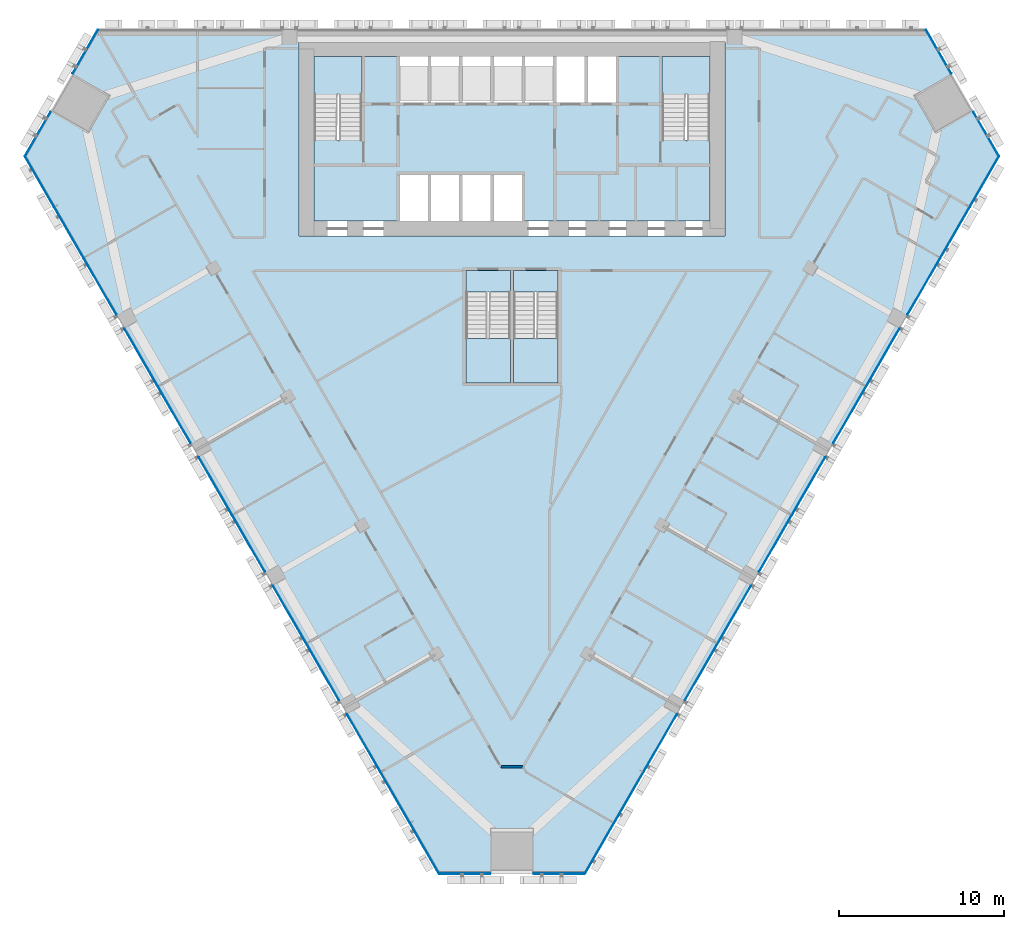
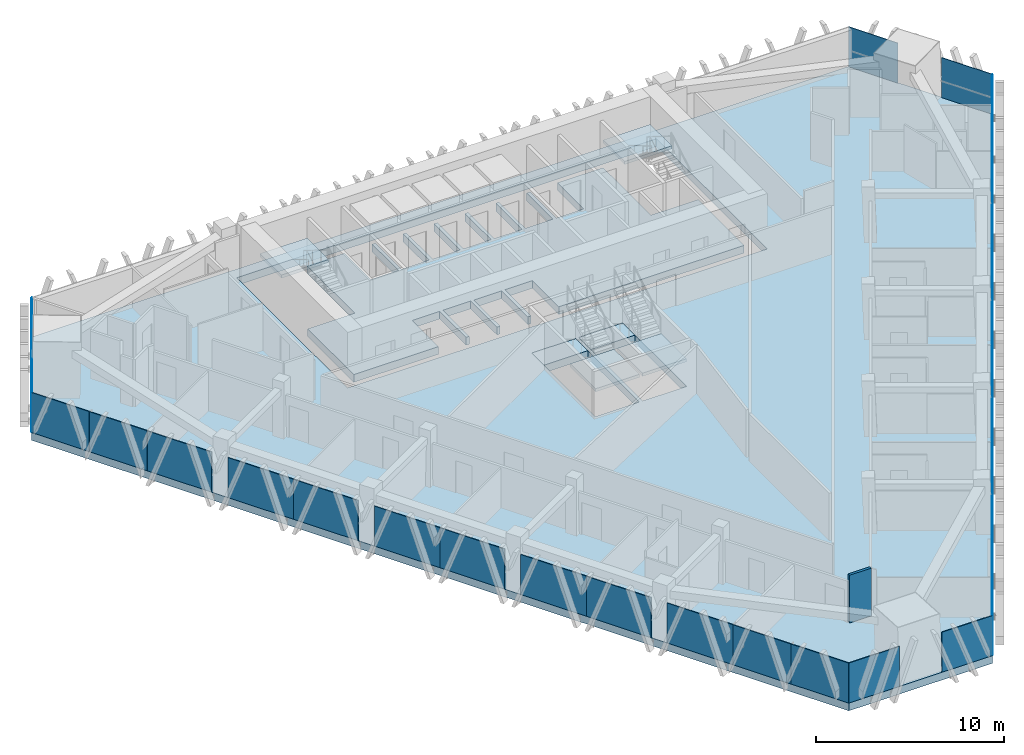
# One storey, part 8 of 16: 30 plates, 8 slabs, 1 wall, 9 elements without a shape of their own.
"""IFC4 building model written with IfcOpenShell, lengths in metres."""

from ifc_helpers import new_model, si_unit, direction, frame, frame_2d, origin, origin_2d, place, context, subcontext, project, spatial, polyline, rectangle, outline, extrude, material, layer, layer_set, type_object, element, aggregate, save


model = new_model("IFC4")

# Units and contexts
model_context = context("Model", 3, precision=1e-05, world=origin(), true_north=direction((0.0, 1.0)))
body_context = subcontext(model_context, "Body", "Model", "MODEL_VIEW")
ifc_project = project(units=[si_unit("LENGTHUNIT", "METRE"), si_unit("AREAUNIT", "SQUARE_METRE"), si_unit("VOLUMEUNIT", "CUBIC_METRE"), si_unit("PLANEANGLEUNIT", "RADIAN"), si_unit("MASSUNIT", "GRAM", prefix="KILO")], contexts=[model_context])

# Site, building, storey
site_placement = place(None, origin())
site = spatial("IfcSite", under=ifc_project, at=site_placement, CompositionType="ELEMENT")
building_placement = place(site_placement, origin())
building = spatial("IfcBuilding", under=site, at=building_placement, Name="Altiplano Prism Tower", CompositionType="ELEMENT")
storey_placement = place(building_placement, frame((0.0, 0.0, 81.0)))
storey = spatial("IfcBuildingStorey", under=building, at=storey_placement, Name="L20", CompositionType="ELEMENT", Elevation=81.0)

# Curtain wall, plates
ifc_material_1 = material(Name="Aluminium and glass", Category="aluminium")
ifc_layer_1 = layer(ifc_material_1, 0.280029296875)
ifc_layer_set_1 = layer_set([ifc_layer_1], Name="Aluminium and glass")
curtain_wall_type = type_object("IfcCurtainWallType", Name="CW1 typical co-living unitised curtain wall", PredefinedType="NOTDEFINED", material=ifc_layer_set_1)
curtain_wall_1_placement = place(storey_placement, origin())
curtain_wall_1 = element("IfcCurtainWall", 1, at=curtain_wall_1_placement, inside=storey, type_object=curtain_wall_type, Name="CW1 curtain wall north-west chamfer L20", PredefinedType="NOTDEFINED")
ifc_material_2 = material(Name="Clear glass", Category="glass")
ifc_layer_2 = layer(ifc_material_2, 0.0400390625)
ifc_layer_set_2 = layer_set([ifc_layer_2], Name="Clear glass")
plate_type = type_object("IfcPlateType", Name="CW1 insulated glass unit 40", PredefinedType="CURTAIN_PANEL", material=ifc_layer_set_2)
plate_1_placement = place(storey_placement, frame((59.128662109375, 103.67236328125, 0.0), z_axis=(0.0, 0.0, 1.0), x_axis=(-0.499999935172, -0.866025441213, 0.0)))
plate_1 = element("IfcPlate", 2, at=plate_1_placement, type_object=plate_type, Name="CW1 panel", PredefinedType="CURTAIN_PANEL", context=body_context, shape_type="SweptSolid", body=[
    extrude(rectangle(XDim=3.03271484375, YDim=0.0400390625, at=origin_2d()), origin(), (0.0, 0.0, 1.0), 2.60009765625),
])
plate_2_placement = place(storey_placement, frame((56.247314453125, 98.681884765625, 0.0), z_axis=(0.0, 0.0, 1.0), x_axis=(-0.499999935172, -0.866025441213, 0.0)))
plate_2 = element("IfcPlate", 3, at=plate_2_placement, type_object=plate_type, Name="CW1 panel", PredefinedType="CURTAIN_PANEL", context=body_context, shape_type="SweptSolid", body=[
    extrude(rectangle(XDim=3.11279296875, YDim=0.0400390625, at=origin_2d()), origin(), (0.0, 0.0, 1.0), 2.60009765625),
])
aggregate(curtain_wall_1, [plate_1, plate_2])

curtain_wall_2_placement = place(storey_placement, origin())
curtain_wall_2 = element("IfcCurtainWall", 4, at=curtain_wall_2_placement, inside=storey, type_object=curtain_wall_type, Name="CW1 curtain wall south-west face L20", PredefinedType="NOTDEFINED")
plate_3_placement = place(storey_placement, frame((56.357666015625, 95.806396484375, 0.0), z_axis=(0.0, 0.0, 1.0), x_axis=(0.500000006182, -0.866025400215, 0.0)))
plate_3 = element("IfcPlate", 5, at=plate_3_placement, type_object=plate_type, Name="CW1 panel", PredefinedType="CURTAIN_PANEL", context=body_context, shape_type="SweptSolid", body=[
    extrude(rectangle(XDim=3.553955078125, YDim=0.0400390625, at=origin_2d()), origin(), (0.0, 0.0, 1.0), 2.60009765625),
])
plate_4_placement = place(storey_placement, frame((58.1396484375, 92.719970703125, 0.0), z_axis=(0.0, 0.0, 1.0), x_axis=(0.500000006182, -0.866025400215, 0.0)))
plate_4 = element("IfcPlate", 6, at=plate_4_placement, type_object=plate_type, Name="CW1 panel", PredefinedType="CURTAIN_PANEL", context=body_context, shape_type="SweptSolid", body=[
    extrude(rectangle(XDim=3.553955078125, YDim=0.0400390625, at=origin_2d()), origin(), (0.0, 0.0, 1.0), 2.60009765625),
])
plate_5_placement = place(storey_placement, frame((60.023193359375, 89.457275390625, 0.0), z_axis=(0.0, 0.0, 1.0), x_axis=(0.500000006182, -0.866025400215, 0.0)))
plate_5 = element("IfcPlate", 7, at=plate_5_placement, type_object=plate_type, Name="CW1 panel", PredefinedType="CURTAIN_PANEL", context=body_context, shape_type="SweptSolid", body=[
    extrude(rectangle(XDim=3.96044921875, YDim=0.0400390625, at=origin_2d()), origin(), (0.0, 0.0, 1.0), 2.60009765625),
])
plate_6_placement = place(storey_placement, frame((62.518310546875, 85.1357421875, 0.0), z_axis=(0.0, 0.0, 1.0), x_axis=(0.500000006182, -0.866025400215, 0.0)))
plate_6 = element("IfcPlate", 8, at=plate_6_placement, type_object=plate_type, Name="CW1 panel", PredefinedType="CURTAIN_PANEL", context=body_context, shape_type="SweptSolid", body=[
    extrude(rectangle(XDim=4.039306640625, YDim=0.0400390625, at=origin_2d()), origin(), (0.0, 0.0, 1.0), 2.60009765625),
])
plate_7_placement = place(storey_placement, frame((64.523193359375, 81.6630859375, 0.0), z_axis=(0.0, 0.0, 1.0), x_axis=(0.500000006182, -0.866025400215, 0.0)))
plate_7 = element("IfcPlate", 9, at=plate_7_placement, type_object=plate_type, Name="CW1 panel", PredefinedType="CURTAIN_PANEL", context=body_context, shape_type="SweptSolid", body=[
    extrude(rectangle(XDim=3.96044921875, YDim=0.0400390625, at=origin_2d()), origin(), (0.0, 0.0, 1.0), 2.60009765625),
])
plate_8_placement = place(storey_placement, frame((67.018310546875, 77.341552734375, 0.0), z_axis=(0.0, 0.0, 1.0), x_axis=(0.500000006182, -0.866025400215, 0.0)))
plate_8 = element("IfcPlate", 10, at=plate_8_placement, type_object=plate_type, Name="CW1 panel", PredefinedType="CURTAIN_PANEL", context=body_context, shape_type="SweptSolid", body=[
    extrude(rectangle(XDim=4.039306640625, YDim=0.0400390625, at=origin_2d()), origin(), (0.0, 0.0, 1.0), 2.60009765625),
])
plate_9_placement = place(storey_placement, frame((69.023193359375, 73.868896484375, 0.0), z_axis=(0.0, 0.0, 1.0), x_axis=(0.500000006182, -0.866025400215, 0.0)))
plate_9 = element("IfcPlate", 11, at=plate_9_placement, type_object=plate_type, Name="CW1 panel", PredefinedType="CURTAIN_PANEL", context=body_context, shape_type="SweptSolid", body=[
    extrude(rectangle(XDim=3.96044921875, YDim=0.0400390625, at=origin_2d()), origin(), (0.0, 0.0, 1.0), 2.60009765625),
])
plate_10_placement = place(storey_placement, frame((71.518310546875, 69.54736328125, 0.0), z_axis=(0.0, 0.0, 1.0), x_axis=(0.500000006182, -0.866025400215, 0.0)))
plate_10 = element("IfcPlate", 12, at=plate_10_placement, type_object=plate_type, Name="CW1 panel", PredefinedType="CURTAIN_PANEL", context=body_context, shape_type="SweptSolid", body=[
    extrude(rectangle(XDim=4.039306640625, YDim=0.0400390625, at=origin_2d()), origin(), (0.0, 0.0, 1.0), 2.60009765625),
])
plate_11_placement = place(storey_placement, frame((73.523193359375, 66.07470703125, 0.0), z_axis=(0.0, 0.0, 1.0), x_axis=(0.500000006182, -0.866025400215, 0.0)))
plate_11 = element("IfcPlate", 13, at=plate_11_placement, type_object=plate_type, Name="CW1 panel", PredefinedType="CURTAIN_PANEL", context=body_context, shape_type="SweptSolid", body=[
    extrude(rectangle(XDim=3.96044921875, YDim=0.0400390625, at=origin_2d()), origin(), (0.0, 0.0, 1.0), 2.60009765625),
])
plate_12_placement = place(storey_placement, frame((76.018310546875, 61.753173828125, 0.0), z_axis=(0.0, 0.0, 1.0), x_axis=(0.500000006182, -0.866025400215, 0.0)))
plate_12 = element("IfcPlate", 14, at=plate_12_placement, type_object=plate_type, Name="CW1 panel", PredefinedType="CURTAIN_PANEL", context=body_context, shape_type="SweptSolid", body=[
    extrude(rectangle(XDim=4.039306640625, YDim=0.0400390625, at=origin_2d()), origin(), (0.0, 0.0, 1.0), 2.60009765625),
])
plate_13_placement = place(storey_placement, frame((77.921630859375, 58.45654296875, 0.0), z_axis=(0.0, 0.0, 1.0), x_axis=(0.500000006182, -0.866025400215, 0.0)))
plate_13 = element("IfcPlate", 15, at=plate_13_placement, type_object=plate_type, Name="CW1 panel", PredefinedType="CURTAIN_PANEL", context=body_context, shape_type="SweptSolid", body=[
    extrude(rectangle(XDim=3.553955078125, YDim=0.0400390625, at=origin_2d()), origin(), (0.0, 0.0, 1.0), 2.60009765625),
])
plate_14_placement = place(storey_placement, frame((79.70361328125, 55.3701171875, 0.0), z_axis=(0.0, 0.0, 1.0), x_axis=(0.500000006182, -0.866025400215, 0.0)))
plate_14 = element("IfcPlate", 16, at=plate_14_placement, type_object=plate_type, Name="CW1 panel", PredefinedType="CURTAIN_PANEL", context=body_context, shape_type="SweptSolid", body=[
    extrude(rectangle(XDim=3.553955078125, YDim=0.0400390625, at=origin_2d()), origin(), (0.0, 0.0, 1.0), 2.60009765625),
])
aggregate(curtain_wall_2, [plate_3, plate_4, plate_5, plate_6, plate_7, plate_8, plate_9, plate_10, plate_11, plate_12, plate_13, plate_14])

curtain_wall_3_placement = place(storey_placement, origin())
curtain_wall_3 = element("IfcCurtainWall", 17, at=curtain_wall_3_placement, inside=storey, type_object=curtain_wall_type, Name="CW1 curtain wall south chamfer L20", PredefinedType="NOTDEFINED")
plate_15_placement = place(storey_placement, frame((82.138671875, 53.836669921875, 0.0), z_axis=(0.0, 0.0, 1.0), x_axis=(1.0, 0.0, 0.0)))
plate_15 = element("IfcPlate", 18, at=plate_15_placement, type_object=plate_type, Name="CW1 panel", PredefinedType="CURTAIN_PANEL", context=body_context, shape_type="SweptSolid", body=[
    extrude(rectangle(XDim=3.11279296875, YDim=0.0400390625, at=origin_2d()), origin(), (0.0, 0.0, 1.0), 2.60009765625),
])
plate_16_placement = place(storey_placement, frame((87.861328125, 53.836669921875, 0.0), z_axis=(0.0, 0.0, 1.0), x_axis=(1.0, 0.0, 0.0)))
plate_16 = element("IfcPlate", 19, at=plate_16_placement, type_object=plate_type, Name="CW1 panel", PredefinedType="CURTAIN_PANEL", context=body_context, shape_type="SweptSolid", body=[
    extrude(rectangle(XDim=3.11279296875, YDim=0.0400390625, at=origin_2d()), origin(), (0.0, 0.0, 1.0), 2.60009765625),
])
aggregate(curtain_wall_3, [plate_15, plate_16])

curtain_wall_4_placement = place(storey_placement, origin())
curtain_wall_4 = element("IfcCurtainWall", 20, at=curtain_wall_4_placement, inside=storey, type_object=curtain_wall_type, Name="CW1 curtain wall south-east face L20", PredefinedType="NOTDEFINED")
plate_17_placement = place(storey_placement, frame((90.29638671875, 55.3701171875, 0.0), z_axis=(0.0, 0.0, 1.0), x_axis=(0.500000006182, 0.866025400215, 0.0)))
plate_17 = element("IfcPlate", 21, at=plate_17_placement, type_object=plate_type, Name="CW1 panel", PredefinedType="CURTAIN_PANEL", context=body_context, shape_type="SweptSolid", body=[
    extrude(rectangle(XDim=3.553955078125, YDim=0.0400390625, at=origin_2d()), origin(), (0.0, 0.0, 1.0), 2.60009765625),
])
plate_18_placement = place(storey_placement, frame((92.078369140625, 58.45654296875, 0.0), z_axis=(0.0, 0.0, 1.0), x_axis=(0.500000006182, 0.866025400215, 0.0)))
plate_18 = element("IfcPlate", 22, at=plate_18_placement, type_object=plate_type, Name="CW1 panel", PredefinedType="CURTAIN_PANEL", context=body_context, shape_type="SweptSolid", body=[
    extrude(rectangle(XDim=3.553955078125, YDim=0.0400390625, at=origin_2d()), origin(), (0.0, 0.0, 1.0), 2.60009765625),
])
plate_19_placement = place(storey_placement, frame((93.981689453125, 61.753173828125, 0.0), z_axis=(0.0, 0.0, 1.0), x_axis=(0.500000006182, 0.866025400215, 0.0)))
plate_19 = element("IfcPlate", 23, at=plate_19_placement, type_object=plate_type, Name="CW1 panel", PredefinedType="CURTAIN_PANEL", context=body_context, shape_type="SweptSolid", body=[
    extrude(rectangle(XDim=4.039306640625, YDim=0.0400390625, at=origin_2d()), origin(), (0.0, 0.0, 1.0), 2.60009765625),
])
plate_20_placement = place(storey_placement, frame((96.476806640625, 66.07470703125, 0.0), z_axis=(0.0, 0.0, 1.0), x_axis=(0.500000006182, 0.866025400215, 0.0)))
plate_20 = element("IfcPlate", 24, at=plate_20_placement, type_object=plate_type, Name="CW1 panel", PredefinedType="CURTAIN_PANEL", context=body_context, shape_type="SweptSolid", body=[
    extrude(rectangle(XDim=3.96044921875, YDim=0.0400390625, at=origin_2d()), origin(), (0.0, 0.0, 1.0), 2.60009765625),
])
plate_21_placement = place(storey_placement, frame((98.481689453125, 69.54736328125, 0.0), z_axis=(0.0, 0.0, 1.0), x_axis=(0.500000006182, 0.866025400215, 0.0)))
plate_21 = element("IfcPlate", 25, at=plate_21_placement, type_object=plate_type, Name="CW1 panel", PredefinedType="CURTAIN_PANEL", context=body_context, shape_type="SweptSolid", body=[
    extrude(rectangle(XDim=4.039306640625, YDim=0.0400390625, at=origin_2d()), origin(), (0.0, 0.0, 1.0), 2.60009765625),
])
plate_22_placement = place(storey_placement, frame((100.976806640625, 73.868896484375, 0.0), z_axis=(0.0, 0.0, 1.0), x_axis=(0.500000006182, 0.866025400215, 0.0)))
plate_22 = element("IfcPlate", 26, at=plate_22_placement, type_object=plate_type, Name="CW1 panel", PredefinedType="CURTAIN_PANEL", context=body_context, shape_type="SweptSolid", body=[
    extrude(rectangle(XDim=3.96044921875, YDim=0.0400390625, at=origin_2d()), origin(), (0.0, 0.0, 1.0), 2.60009765625),
])
plate_23_placement = place(storey_placement, frame((102.981689453125, 77.341552734375, 0.0), z_axis=(0.0, 0.0, 1.0), x_axis=(0.500000006182, 0.866025400215, 0.0)))
plate_23 = element("IfcPlate", 27, at=plate_23_placement, type_object=plate_type, Name="CW1 panel", PredefinedType="CURTAIN_PANEL", context=body_context, shape_type="SweptSolid", body=[
    extrude(rectangle(XDim=4.039306640625, YDim=0.0400390625, at=origin_2d()), origin(), (0.0, 0.0, 1.0), 2.60009765625),
])
plate_24_placement = place(storey_placement, frame((105.476806640625, 81.6630859375, 0.0), z_axis=(0.0, 0.0, 1.0), x_axis=(0.500000006182, 0.866025400215, 0.0)))
plate_24 = element("IfcPlate", 28, at=plate_24_placement, type_object=plate_type, Name="CW1 panel", PredefinedType="CURTAIN_PANEL", context=body_context, shape_type="SweptSolid", body=[
    extrude(rectangle(XDim=3.96044921875, YDim=0.0400390625, at=origin_2d()), origin(), (0.0, 0.0, 1.0), 2.60009765625),
])
plate_25_placement = place(storey_placement, frame((107.481689453125, 85.1357421875, 0.0), z_axis=(0.0, 0.0, 1.0), x_axis=(0.500000006182, 0.866025400215, 0.0)))
plate_25 = element("IfcPlate", 29, at=plate_25_placement, type_object=plate_type, Name="CW1 panel", PredefinedType="CURTAIN_PANEL", context=body_context, shape_type="SweptSolid", body=[
    extrude(rectangle(XDim=4.039306640625, YDim=0.0400390625, at=origin_2d()), origin(), (0.0, 0.0, 1.0), 2.60009765625),
])
plate_26_placement = place(storey_placement, frame((109.976806640625, 89.457275390625, 0.0), z_axis=(0.0, 0.0, 1.0), x_axis=(0.500000006182, 0.866025400215, 0.0)))
plate_26 = element("IfcPlate", 30, at=plate_26_placement, type_object=plate_type, Name="CW1 panel", PredefinedType="CURTAIN_PANEL", context=body_context, shape_type="SweptSolid", body=[
    extrude(rectangle(XDim=3.96044921875, YDim=0.0400390625, at=origin_2d()), origin(), (0.0, 0.0, 1.0), 2.60009765625),
])
plate_27_placement = place(storey_placement, frame((111.8603515625, 92.719970703125, 0.0), z_axis=(0.0, 0.0, 1.0), x_axis=(0.500000006182, 0.866025400215, 0.0)))
plate_27 = element("IfcPlate", 31, at=plate_27_placement, type_object=plate_type, Name="CW1 panel", PredefinedType="CURTAIN_PANEL", context=body_context, shape_type="SweptSolid", body=[
    extrude(rectangle(XDim=3.553955078125, YDim=0.0400390625, at=origin_2d()), origin(), (0.0, 0.0, 1.0), 2.60009765625),
])
plate_28_placement = place(storey_placement, frame((113.642333984375, 95.806396484375, 0.0), z_axis=(0.0, 0.0, 1.0), x_axis=(0.500000006182, 0.866025400215, 0.0)))
plate_28 = element("IfcPlate", 32, at=plate_28_placement, type_object=plate_type, Name="CW1 panel", PredefinedType="CURTAIN_PANEL", context=body_context, shape_type="SweptSolid", body=[
    extrude(rectangle(XDim=3.553955078125, YDim=0.0400390625, at=origin_2d()), origin(), (0.0, 0.0, 1.0), 2.60009765625),
])
aggregate(curtain_wall_4, [plate_17, plate_18, plate_19, plate_20, plate_21, plate_22, plate_23, plate_24, plate_25, plate_26, plate_27, plate_28])

curtain_wall_5_placement = place(storey_placement, origin())
curtain_wall_5 = element("IfcCurtainWall", 33, at=curtain_wall_5_placement, inside=storey, type_object=curtain_wall_type, Name="CW1 curtain wall north-east chamfer L20", PredefinedType="NOTDEFINED")
plate_29_placement = place(storey_placement, frame((113.752685546875, 98.681884765625, 0.0), z_axis=(0.0, 0.0, 1.0), x_axis=(-0.499999935172, 0.866025441213, 0.0)))
plate_29 = element("IfcPlate", 34, at=plate_29_placement, type_object=plate_type, Name="CW1 panel", PredefinedType="CURTAIN_PANEL", context=body_context, shape_type="SweptSolid", body=[
    extrude(rectangle(XDim=3.11279296875, YDim=0.0400390625, at=origin_2d()), origin(), (0.0, 0.0, 1.0), 2.60009765625),
])
plate_30_placement = place(storey_placement, frame((110.871337890625, 103.67236328125, 0.0), z_axis=(0.0, 0.0, 1.0), x_axis=(-0.499999935172, 0.866025441213, 0.0)))
plate_30 = element("IfcPlate", 35, at=plate_30_placement, type_object=plate_type, Name="CW1 panel", PredefinedType="CURTAIN_PANEL", context=body_context, shape_type="SweptSolid", body=[
    extrude(rectangle(XDim=3.03271484375, YDim=0.0400390625, at=origin_2d()), origin(), (0.0, 0.0, 1.0), 2.60009765625),
])
aggregate(curtain_wall_5, [plate_29, plate_30])

# Slabs
ifc_material_3 = material(Name="Concrete C40/50", Category="concrete")
ifc_layer_3 = layer(ifc_material_3, 0.5)
ifc_layer_set_3 = layer_set([ifc_layer_3], Name="Concrete C40/50")
slab_type_1 = type_object("IfcSlabType", Name="Core floor slab 500", PredefinedType="FLOOR", material=ifc_layer_set_3)
slab_1_placement = place(storey_placement, frame((0.0, 0.0, -0.5)))
element("IfcSlab", 36, at=slab_1_placement, inside=storey, type_object=slab_type_1, Name="Core floor slab L20", PredefinedType="FLOOR", context=body_context, shape_type="SweptSolid", body=[
    extrude(outline(polyline([(97.0, 98.31005859375), (94.10009765625, 98.31005859375), (94.10009765625, 103.39990234375), (91.300048828125, 103.39990234375), (91.300048828125, 100.60009765625), (89.60009765625, 100.60009765625), (89.60009765625, 103.39990234375), (89.39990234375, 103.39990234375), (89.39990234375, 100.60009765625), (87.699951171875, 100.60009765625), (87.699951171875, 103.39990234375), (87.5, 103.39990234375), (87.5, 100.60009765625), (85.800048828125, 100.60009765625), (85.800048828125, 103.39990234375), (85.60009765625, 103.39990234375), (85.60009765625, 100.60009765625), (83.89990234375, 100.60009765625), (83.89990234375, 103.39990234375), (83.699951171875, 103.39990234375), (83.699951171875, 100.60009765625), (82.0, 100.60009765625), (82.0, 103.39990234375), (81.800048828125, 103.39990234375), (81.800048828125, 100.60009765625), (80.10009765625, 100.60009765625), (80.10009765625, 103.39990234375), (79.89990234375, 103.39990234375), (79.89990234375, 100.60009765625), (78.199951171875, 100.60009765625), (78.199951171875, 103.39990234375), (75.89990234375, 103.39990234375), (75.89990234375, 98.31005859375), (73.0, 98.31005859375), (73.0, 93.39990234375), (78.199951171875, 93.39990234375), (78.199951171875, 96.199951171875), (79.89990234375, 96.199951171875), (79.89990234375, 93.39990234375), (80.10009765625, 93.39990234375), (80.10009765625, 96.199951171875), (81.800048828125, 96.199951171875), (81.800048828125, 93.39990234375), (82.0, 93.39990234375), (82.0, 96.199951171875), (83.699951171875, 96.199951171875), (83.699951171875, 93.39990234375), (83.89990234375, 93.39990234375), (83.89990234375, 96.199951171875), (85.60009765625, 96.199951171875), (85.60009765625, 93.39990234375), (97.0, 93.39990234375), (97.0, 98.31005859375)])), origin(), (0.0, 0.0, 1.0), 0.5),
])
slab_2_placement = place(storey_placement, frame((0.0, 0.0, -0.5)))
element("IfcSlab", 37, at=slab_2_placement, inside=storey, type_object=slab_type_1, Name="Stair 3A landing slab L20", PredefinedType="FLOOR", context=body_context, shape_type="SweptSolid", body=[
    extrude(outline(polyline([(82.199951171875, 89.096923828125), (84.89990234375, 89.096923828125), (84.89990234375, 90.39990234375), (82.199951171875, 90.39990234375), (82.199951171875, 89.096923828125)])), origin(), (0.0, 0.0, 1.0), 0.5),
])
slab_3_placement = place(storey_placement, frame((0.0, 0.0, -0.5)))
element("IfcSlab", 38, at=slab_3_placement, inside=storey, type_object=slab_type_1, Name="Stair 3B landing slab L20", PredefinedType="FLOOR", context=body_context, shape_type="SweptSolid", body=[
    extrude(outline(polyline([(85.10009765625, 89.096923828125), (87.800048828125, 89.096923828125), (87.800048828125, 90.39990234375), (85.10009765625, 90.39990234375), (85.10009765625, 89.096923828125)])), origin(), (0.0, 0.0, 1.0), 0.5),
])
ifc_layer_4 = layer(ifc_material_3, 0.5)
ifc_layer_set_4 = layer_set([ifc_layer_4], Name="Concrete C40/50")
slab_type_2 = type_object("IfcSlabType", Name="Post-tensioned flat slab 500", PredefinedType="FLOOR", material=ifc_layer_set_4)
slab_4_placement = place(storey_placement, frame((0.0, 0.0, -0.5)))
element("IfcSlab", 39, at=slab_4_placement, inside=storey, type_object=slab_type_2, Name="Floor slab L20", PredefinedType="FLOOR", context=body_context, shape_type="SweptSolid", body=[
    extrude(outline(polyline([(80.577392578125, 53.816650390625), (55.449462890625, 97.339599609375), (59.8720703125, 105.0), (110.1279296875, 105.0), (114.550537109375, 97.339599609375), (89.422607421875, 53.816650390625), (80.577392578125, 53.816650390625)]), holes=[polyline([(72.10009765625, 104.300048828125), (72.10009765625, 92.5), (97.89990234375, 92.5), (97.89990234375, 104.300048828125), (72.10009765625, 104.300048828125)]), polyline([(84.89990234375, 90.39990234375), (82.199951171875, 90.39990234375), (82.199951171875, 83.60009765625), (84.89990234375, 83.60009765625), (84.89990234375, 90.39990234375)]), polyline([(87.800048828125, 83.60009765625), (87.800048828125, 90.39990234375), (85.10009765625, 90.39990234375), (85.10009765625, 83.60009765625), (87.800048828125, 83.60009765625)])]), origin(), (0.0, 0.0, 1.0), 0.5),
])

# Stair, slab
stair_type_1 = type_object("IfcStairType", Name="Exit stair 1400", PredefinedType="HALF_TURN_STAIR", material=ifc_material_3)
stair_1_placement = place(storey_placement, origin())
stair_1 = element("IfcStair", 40, at=stair_1_placement, inside=storey, type_object=stair_type_1, Name="L20 Exit Stair 1", PredefinedType="HALF_TURN_STAIR")
ifc_layer_5 = layer(ifc_material_3, 0.199951171875)
ifc_layer_set_5 = layer_set([ifc_layer_5], Name="Concrete C40/50")
slab_type_3 = type_object("IfcSlabType", Name="Stair landing 200", PredefinedType="LANDING", material=ifc_layer_set_5)
slab_5_placement = place(storey_placement, frame((0.0, 0.0, 1.60009765625)))
slab_5 = element("IfcSlab", 41, at=slab_5_placement, type_object=slab_type_3, Name="ST1 landing 1", PredefinedType="LANDING", context=body_context, shape_type="SweptSolid", body=[
    extrude(outline(polyline([(75.89990234375, 101.096923828125), (75.89990234375, 103.39990234375), (73.0, 103.39990234375), (73.0, 101.096923828125), (75.89990234375, 101.096923828125)])), origin(), (0.0, 0.0, 1.0), 0.199951171875),
])
aggregate(stair_1, [slab_5])

stair_2_placement = place(storey_placement, origin())
stair_2 = element("IfcStair", 42, at=stair_2_placement, inside=storey, type_object=stair_type_1, Name="L20 Exit Stair 2", PredefinedType="HALF_TURN_STAIR")
slab_6_placement = place(storey_placement, frame((0.0, 0.0, 1.60009765625)))
slab_6 = element("IfcSlab", 43, at=slab_6_placement, type_object=slab_type_3, Name="ST2 landing 1", PredefinedType="LANDING", context=body_context, shape_type="SweptSolid", body=[
    extrude(outline(polyline([(97.0, 101.096923828125), (97.0, 103.39990234375), (94.10009765625, 103.39990234375), (94.10009765625, 101.096923828125), (97.0, 101.096923828125)])), origin(), (0.0, 0.0, 1.0), 0.199951171875),
])
aggregate(stair_2, [slab_6])

stair_type_2 = type_object("IfcStairType", Name="Exit stair 1300", PredefinedType="HALF_TURN_STAIR", material=ifc_material_3)
stair_3_placement = place(storey_placement, origin())
stair_3 = element("IfcStair", 44, at=stair_3_placement, inside=storey, type_object=stair_type_2, Name="L20 Exit Stair 3A", PredefinedType="HALF_TURN_STAIR")
slab_7_placement = place(storey_placement, frame((0.0, 0.0, 1.60009765625)))
slab_7 = element("IfcSlab", 45, at=slab_7_placement, type_object=slab_type_3, Name="ST3A landing 1", PredefinedType="LANDING", context=body_context, shape_type="SweptSolid", body=[
    extrude(outline(polyline([(82.199951171875, 86.302978515625), (82.199951171875, 83.60009765625), (84.89990234375, 83.60009765625), (84.89990234375, 86.302978515625), (82.199951171875, 86.302978515625)])), origin(), (0.0, 0.0, 1.0), 0.199951171875),
])
aggregate(stair_3, [slab_7])

stair_4_placement = place(storey_placement, origin())
stair_4 = element("IfcStair", 46, at=stair_4_placement, inside=storey, type_object=stair_type_2, Name="L20 Exit Stair 3B", PredefinedType="HALF_TURN_STAIR")
slab_8_placement = place(storey_placement, frame((0.0, 0.0, 1.60009765625)))
slab_8 = element("IfcSlab", 47, at=slab_8_placement, type_object=slab_type_3, Name="ST3B landing 1", PredefinedType="LANDING", context=body_context, shape_type="SweptSolid", body=[
    extrude(outline(polyline([(85.10009765625, 86.302978515625), (85.10009765625, 83.60009765625), (87.800048828125, 83.60009765625), (87.800048828125, 86.302978515625), (85.10009765625, 86.302978515625)])), origin(), (0.0, 0.0, 1.0), 0.199951171875),
])
aggregate(stair_4, [slab_8])

# Wall
ifc_material_4 = material(Name="Plasterboard on steel stud", Category="steel")
ifc_layer_6 = layer(ifc_material_4, 0.14990234375)
ifc_layer_set_6 = layer_set([ifc_layer_6], Name="Plasterboard on steel stud")
wall_type = type_object("IfcWallType", Name="Partition 150 corridor", PredefinedType="PARTITIONING", material=ifc_layer_set_6)
wall_placement = place(storey_placement, frame((84.330078125, 60.316650390625, 0.0), z_axis=(0.0, 0.0, 1.0), x_axis=(1.0, 0.0, 0.0)))
element("IfcWall", 48, at=wall_placement, inside=storey, type_object=wall_type, Name="Partition P06 L20 016", PredefinedType="PARTITIONING", context=body_context, shape_type="SweptSolid", body=[
    extrude(rectangle(XDim=1.33984375, YDim=0.14990234375, at=frame_2d((0.669921875, 0.0))), origin(), (0.0, 0.0, 1.0), 3.10009765625),
])

save(model, "model.ifc")
